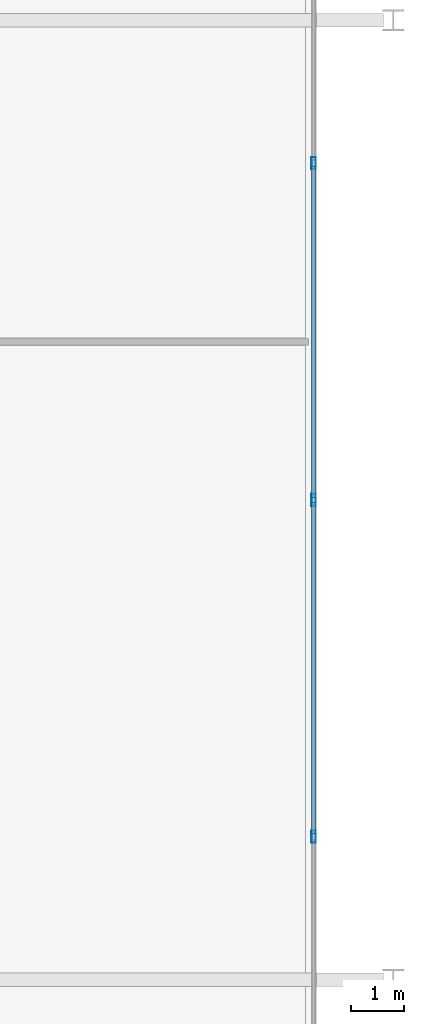
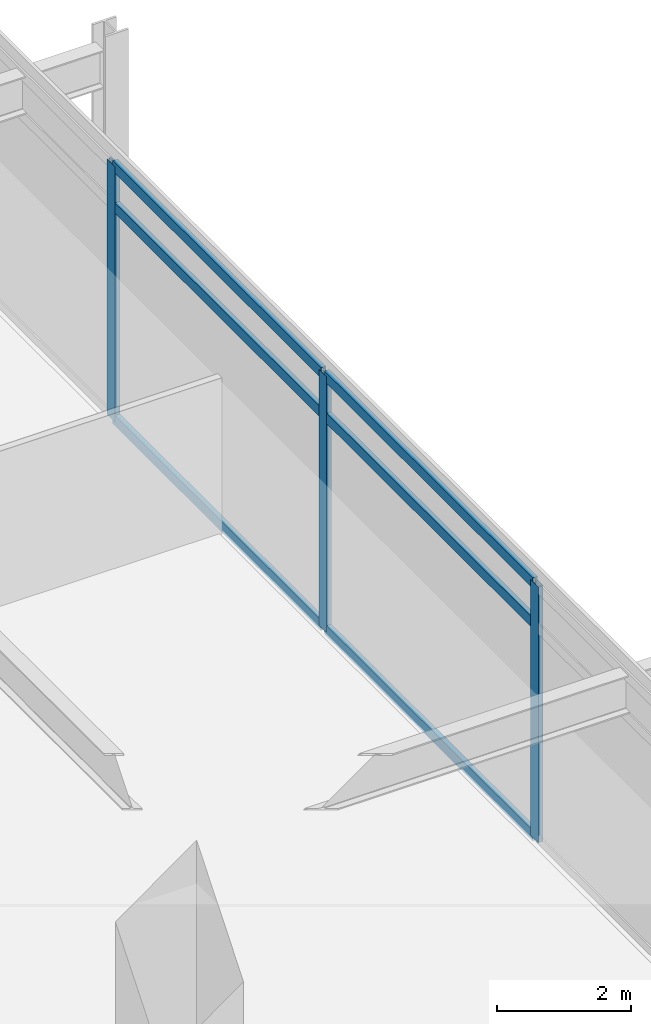
# One storey, part 9 of 25: 9 members, 1 element without a shape of its own.
"""IFC4 building model written with IfcOpenShell, lengths in metres."""

import ifcopenshell
import ifcopenshell.guid

model = None  # the IFC model being written
_history = None  # IfcOwnerHistory: only IFC2X3 demands one
_inside = {}  # id of a spatial element -> (the spatial element, [elements in it])
_under = {}  # id of a project, library or spatial element -> (it, [spatial elements below it])
_declared = {}  # id of a project -> (the project, [libraries it declares])
_typed = {}  # id of a type object -> (the type object, [elements of that type])
_made_of = {}  # id of a material, layer set ... -> (it, [elements and type objects made of it])


def new_model(schema):
    """Start an empty IFC model of exactly this schema.

    Asked for "IFC4X3", IfcOpenShell would pick the latest addendum, in which some entities
    have other attributes; the version numbers below select the first issue.
    IFC2X3 requires an IfcOwnerHistory on every rooted entity: one is made here for all.
    """
    global model, _history
    if schema == "IFC4X3":
        model = ifcopenshell.file(schema_version=(4, 3, 0, 0))
    else:
        model = ifcopenshell.file(schema=schema)
    _inside.clear()
    _under.clear()
    _declared.clear()
    _typed.clear()
    _made_of.clear()
    _history = None
    if model.schema == "IFC2X3":
        org = make("IfcOrganization", Name="unknown")
        user = make(
            "IfcPersonAndOrganization",
            ThePerson=make("IfcPerson", FamilyName="unknown"),
            TheOrganization=org,
        )
        app = make(
            "IfcApplication",
            ApplicationDeveloper=org,
            Version="unknown",
            ApplicationFullName="unknown",
            ApplicationIdentifier="unknown",
        )
        _history = make(
            "IfcOwnerHistory",
            OwningUser=user,
            OwningApplication=app,
            ChangeAction="ADDED",
            CreationDate=0,
        )
    return model


def make(cls, **values):
    """One entity of the class cls with the attributes given. An attribute that is None is left unset."""
    return model.create_entity(
        cls, **{name: value for name, value in values.items() if value is not None}
    )


def rooted(cls, **values):
    """An entity with a GlobalId (a new one), such as an element, a storey or a relation."""
    return make(cls, GlobalId=ifcopenshell.guid.new(), OwnerHistory=_history, **values)


def si_unit(unit_type, name, prefix=None):
    """IfcSIUnit, for example si_unit("LENGTHUNIT", "METRE", prefix="MILLI")."""
    return make("IfcSIUnit", UnitType=unit_type, Prefix=prefix, Name=name)


def assignment(units):
    """IfcUnitAssignment: the units of a project."""
    return None if units is None else make("IfcUnitAssignment", Units=units)


def point(xyz):
    """IfcCartesianPoint."""
    return None if xyz is None else make("IfcCartesianPoint", Coordinates=xyz)


def direction(xyz):
    """IfcDirection."""
    return None if xyz is None else make("IfcDirection", DirectionRatios=xyz)


def frame(location, z_axis=None, x_axis=None):
    """IfcAxis2Placement3D, a coordinate frame: its origin and axes. An axis left out is left unset."""
    return make(
        "IfcAxis2Placement3D",
        Location=point(location),
        Axis=direction(z_axis),
        RefDirection=direction(x_axis),
    )


def frame_2d(location, x_axis=None):
    """IfcAxis2Placement2D, a coordinate frame in the plane: its origin and x axis."""
    return make(
        "IfcAxis2Placement2D", Location=point(location), RefDirection=direction(x_axis)
    )


def origin():
    """The frame at (0, 0, 0) with its axes left unset."""
    return frame((0.0, 0.0, 0.0))


def origin_2d():
    """The frame at (0, 0) in the plane with its x axis left unset."""
    return frame_2d((0.0, 0.0))


def place(relative_to, where):
    """IfcLocalPlacement: puts the frame where relative to a parent placement (None: the world)."""
    return make(
        "IfcLocalPlacement", PlacementRelTo=relative_to, RelativePlacement=where
    )


def context(
    kind, dimensions, precision=None, world=None, true_north=None, identifier=None
):
    """IfcGeometricRepresentationContext, for example the 3D "Model" context."""
    return make(
        "IfcGeometricRepresentationContext",
        ContextIdentifier=identifier,
        ContextType=kind,
        CoordinateSpaceDimension=dimensions,
        Precision=precision,
        WorldCoordinateSystem=world,
        TrueNorth=true_north,
    )


def subcontext(parent, identifier, kind, view, scale=None):
    """IfcGeometricRepresentationSubContext, for example "Body" below "Model"."""
    return make(
        "IfcGeometricRepresentationSubContext",
        ContextIdentifier=identifier,
        ContextType=kind,
        ParentContext=parent,
        TargetScale=scale,
        TargetView=view,
    )


def project(units=None, contexts=None):
    """IfcProject with its units and contexts."""
    return rooted(
        "IfcProject",
        Name="project",
        RepresentationContexts=contexts,
        UnitsInContext=assignment(units),
    )


def spatial(cls, under=None, at=None, **own):
    """A site, building, storey or space (cls), placed at a placement, below another one or the project."""
    s = rooted(cls, ObjectPlacement=at, **own)
    if under is not None:
        _under.setdefault(under.id(), (under, []))[1].append(s)
    return s


def profile(cls, at=None, kind="AREA", **sizes):
    """A parametric profile (cls). Its sizes go by their IFC names, for example OverallWidth=200.0."""
    return make(cls, ProfileType=kind, Position=at, **sizes)


def hollow_rectangle(**sizes):
    """IfcRectangleHollowProfileDef."""
    return profile("IfcRectangleHollowProfileDef", **sizes)


def extrude(swept, where, along, depth):
    """IfcExtrudedAreaSolid: the profile swept, set in the frame where, extruded along a direction by depth."""
    return make(
        "IfcExtrudedAreaSolid",
        SweptArea=swept,
        Position=where,
        ExtrudedDirection=direction(along),
        Depth=depth,
    )


def shape(context_of_items, identifier, shape_type, items):
    """IfcShapeRepresentation: the items that make up one representation, for example the "Body"."""
    return make(
        "IfcShapeRepresentation",
        ContextOfItems=context_of_items,
        RepresentationIdentifier=identifier,
        RepresentationType=shape_type,
        Items=items,
    )


def material(Name=None, Category=None):
    """IfcMaterial."""
    return make("IfcMaterial", Name=Name, Category=Category)


def material_profile(
    of_material, cross_section, Name=None, Category=None, Priority=None
):
    """IfcMaterialProfile: a cross section and its material."""
    return make(
        "IfcMaterialProfile",
        Name=Name,
        Material=of_material,
        Profile=cross_section,
        Priority=Priority,
        Category=Category,
    )


def profile_set(profiles, Name=None, composite=None):
    """IfcMaterialProfileSet."""
    return make(
        "IfcMaterialProfileSet",
        Name=Name,
        MaterialProfiles=profiles,
        CompositeProfile=composite,
    )


def made_of(thing, what):
    """Note that an element or type object is made of a material, layer set ...; save() writes the relation."""
    if what is not None:
        _made_of.setdefault(what.id(), (what, []))[1].append(thing)
    return thing


def type_object(cls, material=None, **own):
    """A type object (cls), such as IfcWallType, which elements share."""
    return made_of(rooted(cls, **own), material)


def element(
    cls,
    number,
    at=None,
    inside=None,
    cuts=None,
    type_object=None,
    material=None,
    context=None,
    identifier="Body",
    shape_type=None,
    held_by="IfcProductDefinitionShape",
    body=None,
    shapes=None,
    **own,
):
    """One element of the class cls, such as IfcWall. Its Tag is "e" and its number.

    at: its placement. inside: the storey or other place that contains it. cuts: it is an
    opening in that element (IfcRelVoidsElement). A single representation is given by context,
    identifier, shape_type and body (its items); several are given by shapes. held_by: the class
    of the entity that holds the representations. save() writes the other relations.
    """
    e = rooted(cls, Tag="e%d" % number, ObjectPlacement=at, **own)
    if body is not None:
        shapes = [shape(context, identifier, shape_type, body)]
    if shapes is not None:
        e.Representation = make(held_by, Representations=shapes)
    if inside is not None:
        _inside.setdefault(inside.id(), (inside, []))[1].append(e)
    if cuts is not None:
        rooted(
            "IfcRelVoidsElement", RelatingBuildingElement=cuts, RelatedOpeningElement=e
        )
    if type_object is not None:
        _typed.setdefault(type_object.id(), (type_object, []))[1].append(e)
    return made_of(e, material)


def aggregate(whole, parts):
    """IfcRelAggregates: a whole, such as a stair, and the parts it consists of."""
    return rooted("IfcRelAggregates", RelatingObject=whole, RelatedObjects=parts)


def save(model, path):
    """Write the relations noted so far, then the file.

    IfcRelAggregates (storeys below a building ...), IfcRelContainedInSpatialStructure (elements
    in a storey), IfcRelDefinesByType, IfcRelAssociatesMaterial and IfcRelDeclares: one each for
    every whole, place, type object, material and project.
    """
    for whole, parts in _under.values():
        aggregate(whole, parts)
    for where, things in _inside.values():
        rooted(
            "IfcRelContainedInSpatialStructure",
            RelatedElements=things,
            RelatingStructure=where,
        )
    for kind, things in _typed.values():
        rooted("IfcRelDefinesByType", RelatedObjects=things, RelatingType=kind)
    for what, things in _made_of.values():
        rooted("IfcRelAssociatesMaterial", RelatedObjects=things, RelatingMaterial=what)
    for by, libraries in _declared.values():
        rooted("IfcRelDeclares", RelatingContext=by, RelatedDefinitions=libraries)
    model.write(path)


model = new_model("IFC4")

# Units and contexts
model_context = context("Model", 3, precision=1e-05, world=origin(), true_north=direction((0.0, 1.0)))
body_context = subcontext(model_context, "Body", "Model", "MODEL_VIEW")
ifc_project = project(units=[si_unit("LENGTHUNIT", "METRE"), si_unit("AREAUNIT", "SQUARE_METRE"), si_unit("VOLUMEUNIT", "CUBIC_METRE"), si_unit("PLANEANGLEUNIT", "RADIAN"), si_unit("MASSUNIT", "GRAM", prefix="KILO")], contexts=[model_context])

# Site, building, storey
site_placement = place(None, origin())
site = spatial("IfcSite", under=ifc_project, at=site_placement, CompositionType="ELEMENT")
building_placement = place(site_placement, origin())
building = spatial("IfcBuilding", under=site, at=building_placement, Name="Kovane Verandah Tower", CompositionType="ELEMENT")
storey_placement = place(building_placement, frame((0.0, 0.0, 233.199951171875)))
storey = spatial("IfcBuildingStorey", under=building, at=storey_placement, Name="L54", CompositionType="ELEMENT", Elevation=233.199951171875)

# Curtain wall, members
ifc_material_1 = material(Name="Champagne Anodised Aluminium Frame with Low-E Clear Laminated Glass", Category="aluminium")
curtain_wall_type = type_object("IfcCurtainWallType", Name="CW-SYS-03-MID", PredefinedType="NOTDEFINED", material=ifc_material_1)
curtain_wall_placement = place(storey_placement, origin())
curtain_wall = element("IfcCurtainWall", 1, at=curtain_wall_placement, inside=storey, type_object=curtain_wall_type, Name="L54 E Unitised Curtain Wall", PredefinedType="NOTDEFINED")
ifc_material_2 = material(Name="Champagne Anodised Aluminium 6063-T6", Category="aluminium")
ifc_material_profile_1 = material_profile(ifc_material_2, hollow_rectangle(XDim=0.0849609375, YDim=0.22998046875, WallThickness=0.00390625, at=origin_2d()), Name="AL85x230x4")
ifc_profile_set_1 = profile_set([ifc_material_profile_1], Name="Champagne Anodised Aluminium 6063-T6")
member_type_1 = type_object("IfcMemberType", Name="CW-MUL-85x230", PredefinedType="MULLION", material=ifc_profile_set_1)
member_1_placement = place(storey_placement, frame((66.107177734375, 21.18359375, 0.02001953125), z_axis=(0.0, 0.0, 1.0), x_axis=(1.0, 0.0, 0.0)))
member_1 = element("IfcMember", 2, at=member_1_placement, type_object=member_type_1, Name="L54 E Unitised Curtain Wall Mullion 3", PredefinedType="MULLION", context=body_context, shape_type="SweptSolid", body=[
    extrude(hollow_rectangle(XDim=0.0849609375, YDim=0.22998046875, WallThickness=0.00390625, at=origin_2d()), origin(), (0.0, 0.0, 1.0), 4.659912109375),
])
member_2_placement = place(storey_placement, frame((66.107177734375, 27.5, 0.02001953125), z_axis=(0.0, 0.0, 1.0), x_axis=(1.0, 0.0, 0.0)))
member_2 = element("IfcMember", 3, at=member_2_placement, type_object=member_type_1, Name="L54 E Unitised Curtain Wall Mullion 4", PredefinedType="MULLION", context=body_context, shape_type="SweptSolid", body=[
    extrude(hollow_rectangle(XDim=0.0849609375, YDim=0.22998046875, WallThickness=0.00390625, at=origin_2d()), origin(), (0.0, 0.0, 1.0), 4.659912109375),
])
member_3_placement = place(storey_placement, frame((66.107177734375, 33.81640625, 0.02001953125), z_axis=(0.0, 0.0, 1.0), x_axis=(1.0, 0.0, 0.0)))
member_3 = element("IfcMember", 4, at=member_3_placement, type_object=member_type_1, Name="L54 E Unitised Curtain Wall Mullion 5", PredefinedType="MULLION", context=body_context, shape_type="SweptSolid", body=[
    extrude(hollow_rectangle(XDim=0.0849609375, YDim=0.22998046875, WallThickness=0.00390625, at=origin_2d()), origin(), (0.0, 0.0, 1.0), 4.659912109375),
])
ifc_material_profile_2 = material_profile(ifc_material_2, hollow_rectangle(XDim=0.0849609375, YDim=0.18994140625, WallThickness=0.00390625, at=origin_2d()), Name="AL85x190x4")
ifc_profile_set_2 = profile_set([ifc_material_profile_2], Name="Champagne Anodised Aluminium 6063-T6")
member_type_2 = type_object("IfcMemberType", Name="CW-TRN-85x190", PredefinedType="USERDEFINED", material=ifc_profile_set_2)
member_4_placement = place(storey_placement, frame((66.107177734375, 21.2333984375, 0.050048828125), z_axis=(0.0, 1.0, 0.0), x_axis=(-1.0, 0.0, 0.0)))
member_4 = element("IfcMember", 5, at=member_4_placement, type_object=member_type_2, Name="L54 E Unitised Curtain Wall Transom TB Bay 3", ObjectType="TRANSOM", PredefinedType="USERDEFINED", context=body_context, shape_type="SweptSolid", body=[
    extrude(hollow_rectangle(XDim=0.0849609375, YDim=0.18994140625, WallThickness=0.00390625, at=origin_2d()), origin(), (0.0, 0.0, 1.0), 6.216552734375),
])
member_5_placement = place(storey_placement, frame((66.107177734375, 21.2333984375, 3.920166015625), z_axis=(0.0, 1.0, 0.0), x_axis=(-1.0, 0.0, 0.0)))
member_5 = element("IfcMember", 6, at=member_5_placement, type_object=member_type_2, Name="L54 E Unitised Curtain Wall Transom TM Bay 3", ObjectType="TRANSOM", PredefinedType="USERDEFINED", context=body_context, shape_type="SweptSolid", body=[
    extrude(hollow_rectangle(XDim=0.0849609375, YDim=0.18994140625, WallThickness=0.00390625, at=origin_2d()), origin(), (0.0, 0.0, 1.0), 6.216552734375),
])
member_6_placement = place(storey_placement, frame((66.107177734375, 21.2333984375, 4.650146484375), z_axis=(0.0, 1.0, 0.0), x_axis=(-1.0, 0.0, 0.0)))
member_6 = element("IfcMember", 7, at=member_6_placement, type_object=member_type_2, Name="L54 E Unitised Curtain Wall Transom TT Bay 3", ObjectType="TRANSOM", PredefinedType="USERDEFINED", context=body_context, shape_type="SweptSolid", body=[
    extrude(hollow_rectangle(XDim=0.0849609375, YDim=0.18994140625, WallThickness=0.00390625, at=origin_2d()), origin(), (0.0, 0.0, 1.0), 6.216552734375),
])
member_7_placement = place(storey_placement, frame((66.107177734375, 27.550048828125, 0.050048828125), z_axis=(0.0, 1.0, 0.0), x_axis=(-1.0, 0.0, 0.0)))
member_7 = element("IfcMember", 8, at=member_7_placement, type_object=member_type_2, Name="L54 E Unitised Curtain Wall Transom TB Bay 4", ObjectType="TRANSOM", PredefinedType="USERDEFINED", context=body_context, shape_type="SweptSolid", body=[
    extrude(hollow_rectangle(XDim=0.0849609375, YDim=0.18994140625, WallThickness=0.00390625, at=origin_2d()), origin(), (0.0, 0.0, 1.0), 6.216552734375),
])
member_8_placement = place(storey_placement, frame((66.107177734375, 27.550048828125, 3.920166015625), z_axis=(0.0, 1.0, 0.0), x_axis=(-1.0, 0.0, 0.0)))
member_8 = element("IfcMember", 9, at=member_8_placement, type_object=member_type_2, Name="L54 E Unitised Curtain Wall Transom TM Bay 4", ObjectType="TRANSOM", PredefinedType="USERDEFINED", context=body_context, shape_type="SweptSolid", body=[
    extrude(hollow_rectangle(XDim=0.0849609375, YDim=0.18994140625, WallThickness=0.00390625, at=origin_2d()), origin(), (0.0, 0.0, 1.0), 6.216552734375),
])
member_9_placement = place(storey_placement, frame((66.107177734375, 27.550048828125, 4.650146484375), z_axis=(0.0, 1.0, 0.0), x_axis=(-1.0, 0.0, 0.0)))
member_9 = element("IfcMember", 10, at=member_9_placement, type_object=member_type_2, Name="L54 E Unitised Curtain Wall Transom TT Bay 4", ObjectType="TRANSOM", PredefinedType="USERDEFINED", context=body_context, shape_type="SweptSolid", body=[
    extrude(hollow_rectangle(XDim=0.0849609375, YDim=0.18994140625, WallThickness=0.00390625, at=origin_2d()), origin(), (0.0, 0.0, 1.0), 6.216552734375),
])
aggregate(curtain_wall, [member_1, member_2, member_3, member_4, member_5, member_6, member_7, member_8, member_9])

save(model, "model.ifc")
